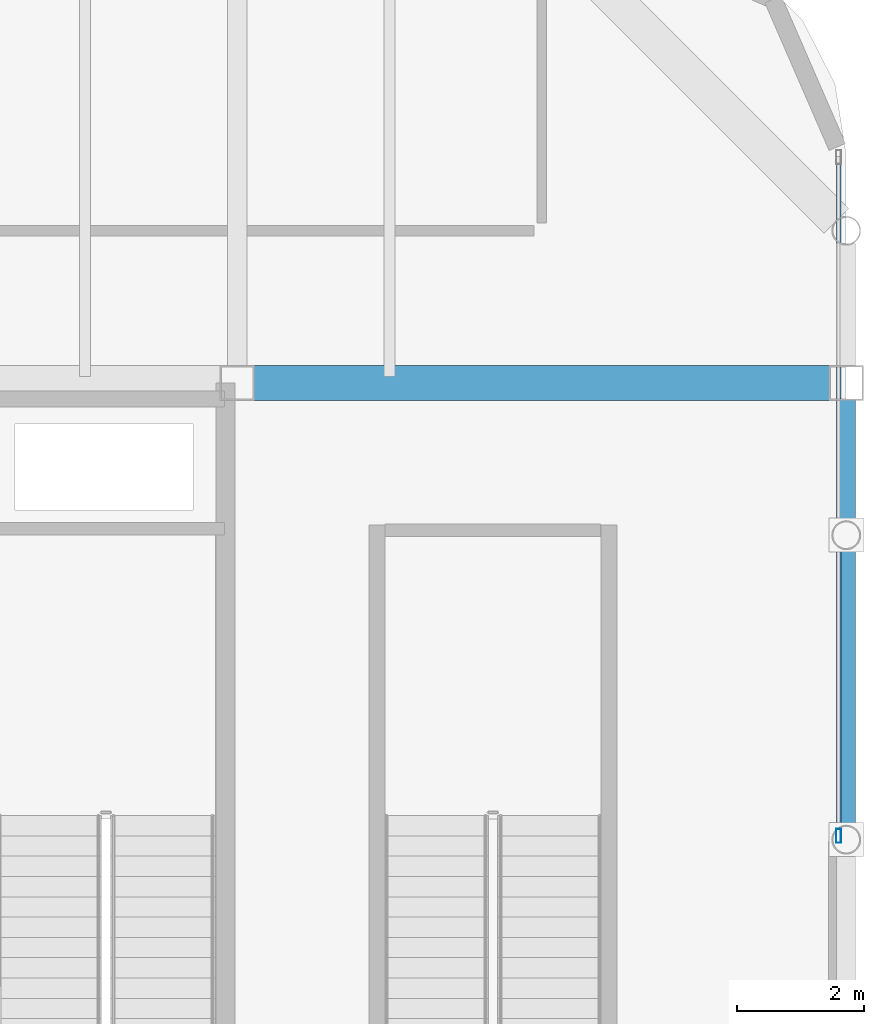
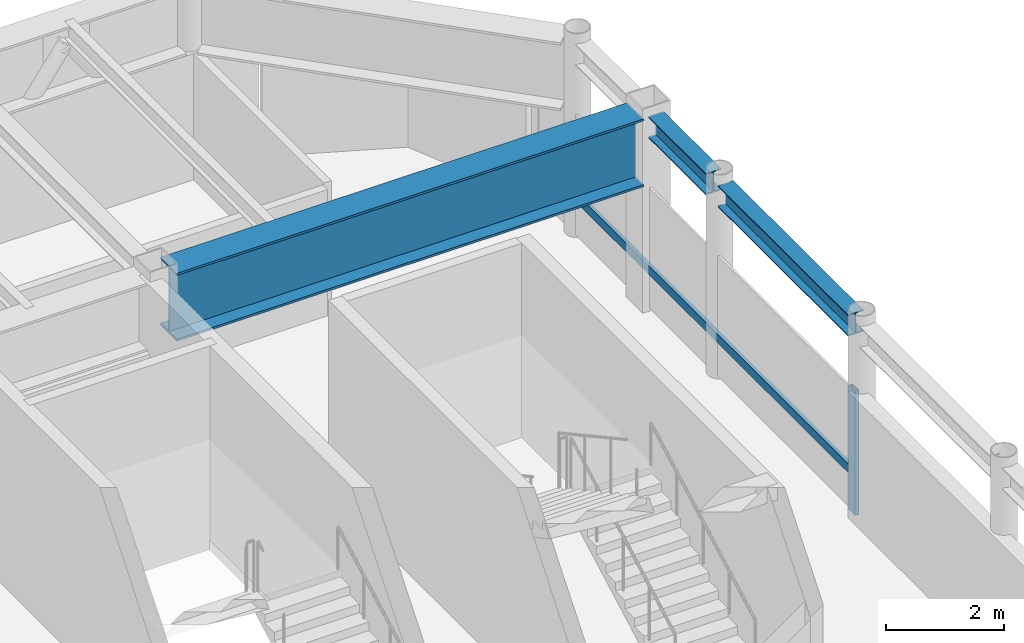
# One storey, part 11 of 23: 3 beams, 2 members, 1 element without a shape of its own.
"""IFC4 building model written with IfcOpenShell, lengths in metres."""

from ifc_helpers import new_model, si_unit, direction, frame, origin, origin_2d, place, context, subcontext, project, spatial, hollow_rectangle, i_section, extrude, material, layer, layer_set, material_profile, profile_set, type_object, element, aggregate, save


model = new_model("IFC4")

# Units and contexts
model_context = context("Model", 3, precision=1e-05, world=origin(), true_north=direction((0.0, 1.0)))
body_context = subcontext(model_context, "Body", "Model", "MODEL_VIEW")
ifc_project = project(units=[si_unit("LENGTHUNIT", "METRE"), si_unit("AREAUNIT", "SQUARE_METRE"), si_unit("VOLUMEUNIT", "CUBIC_METRE"), si_unit("PLANEANGLEUNIT", "RADIAN"), si_unit("MASSUNIT", "GRAM", prefix="KILO")], contexts=[model_context])

# Site, building, storey
site_placement = place(None, origin())
site = spatial("IfcSite", under=ifc_project, at=site_placement, CompositionType="ELEMENT")
building_placement = place(site_placement, origin())
building = spatial("IfcBuilding", under=site, at=building_placement, Name="Kallvorn Hotel Tower", CompositionType="ELEMENT")
storey_placement = place(building_placement, frame((0.0, 0.0, 282.199951171875)))
storey = spatial("IfcBuildingStorey", under=building, at=storey_placement, Name="L70", CompositionType="ELEMENT", Elevation=282.199951171875)

# Beams
ifc_material_1 = material(Name="Structural steel S355JR", Category="steel")
ifc_material_profile_1 = material_profile(ifc_material_1, i_section(OverallWidth=0.300048828125, OverallDepth=0.43994140625, WebThickness=0.011474609375, FlangeThickness=0.02099609375, at=origin_2d()), Name="HE 450 A")
ifc_profile_set_1 = profile_set([ifc_material_profile_1], Name="Structural steel S355JR")
beam_type_1 = type_object("IfcBeamType", Name="BM_HE450A", PredefinedType="BEAM", material=ifc_profile_set_1)
beam_1_placement = place(storey_placement, frame((24.0, 0.20361328125, 3.780029296875), z_axis=(0.0, 1.0, 0.0), x_axis=(-1.0, 0.0, 0.0)))
element("IfcBeam", 1, at=beam_1_placement, inside=storey, type_object=beam_type_1, Name="L71 Primary Y-Girder 51", PredefinedType="BEAM", context=body_context, shape_type="SweptSolid", body=[
    extrude(i_section(OverallWidth=0.300048828125, OverallDepth=0.43994140625, WebThickness=0.011474609375, FlangeThickness=0.02099609375, at=origin_2d()), origin(), (0.0, 0.0, 1.0), 4.392822265625),
])
beam_2_placement = place(storey_placement, frame((24.0, 5.00341796875, 3.780029296875), z_axis=(0.0, 1.0, 0.0), x_axis=(-1.0, 0.0, 0.0)))
element("IfcBeam", 2, at=beam_2_placement, inside=storey, type_object=beam_type_1, Name="L71 Primary Y-Girder 52", PredefinedType="BEAM", context=body_context, shape_type="SweptSolid", body=[
    extrude(i_section(OverallWidth=0.300048828125, OverallDepth=0.43994140625, WebThickness=0.011474609375, FlangeThickness=0.02099609375, at=origin_2d()), origin(), (0.0, 0.0, 1.0), 1.946533203125),
])
ifc_material_2 = material(Name="Structural steel S355JR", Category="steel")
ifc_material_profile_2 = material_profile(ifc_material_2, i_section(OverallWidth=0.550048828125, OverallDepth=1.39990234375, WebThickness=0.02490234375, FlangeThickness=0.044921875, at=origin_2d()), Name="PG 1400x550x25x45")
ifc_profile_set_2 = profile_set([ifc_material_profile_2], Name="Structural steel S355JR")
beam_type_2 = type_object("IfcBeamType", Name="BM_PG_1400", PredefinedType="BEAM", material=ifc_profile_set_2)
beam_3_placement = place(storey_placement, frame((14.64990234375, 7.199951171875, 3.300048828125), z_axis=(1.0, 0.0, 0.0), x_axis=(0.0, 1.0, 0.0)))
element("IfcBeam", 3, at=beam_3_placement, inside=storey, type_object=beam_type_2, Name="L71 Primary X-Girder 15", PredefinedType="BEAM", context=body_context, shape_type="SweptSolid", body=[
    extrude(i_section(OverallWidth=0.550048828125, OverallDepth=1.39990234375, WebThickness=0.02490234375, FlangeThickness=0.044921875, at=origin_2d()), origin(), (0.0, 0.0, 1.0), 9.10009765625),
])

# Curtain wall, members
ifc_material_3 = material(Name="Thermally broken black-anodised aluminium AA 6063-T6", Category="aluminium")
ifc_layer = layer(ifc_material_3, 0.25)
ifc_layer_set = layer_set([ifc_layer], Name="CW_SYS_6_SUMMIT_OBS")
curtain_wall_type = type_object("IfcCurtainWallType", Name="CW_SYS_6_SUMMIT_OBS", PredefinedType="USERDEFINED", material=ifc_layer_set)
curtain_wall_placement = place(storey_placement, origin())
curtain_wall = element("IfcCurtainWall", 4, at=curtain_wall_placement, inside=storey, type_object=curtain_wall_type, Name="L70 Dark-Glass Curtain Wall CW-L70-EN", ObjectType="UNITISED CURTAIN WALL", PredefinedType="USERDEFINED")
ifc_material_4 = material(Name="Thermally broken black-anodised aluminium AA 6063-T6", Category="aluminium")
ifc_material_profile_3 = material_profile(ifc_material_4, hollow_rectangle(XDim=0.080078125, YDim=0.219970703125, WallThickness=0.0048828125, at=origin_2d()), Name="MUL 220x80")
ifc_profile_set_3 = profile_set([ifc_material_profile_3], Name="Thermally broken black-anodised aluminium AA 6063-T6")
member_type_1 = type_object("IfcMemberType", Name="CW_MULLION_220x80", PredefinedType="MULLION", material=ifc_profile_set_3)
member_1_placement = place(storey_placement, frame((23.8798828125, 0.06005859375, 0.02001953125), z_axis=(0.0, 0.0, 1.0), x_axis=(1.0, 0.0, 0.0)))
member_1 = element("IfcMember", 5, at=member_1_placement, type_object=member_type_1, Name="CW-L70-EN Mullion 00", PredefinedType="MULLION", context=body_context, shape_type="SweptSolid", body=[
    extrude(hollow_rectangle(XDim=0.080078125, YDim=0.219970703125, WallThickness=0.0048828125, at=origin_2d()), origin(), (0.0, 0.0, 1.0), 2.56005859375),
])
ifc_material_5 = material(Name="Thermally broken black-anodised aluminium AA 6063-T6", Category="aluminium")
ifc_material_profile_4 = material_profile(ifc_material_5, hollow_rectangle(XDim=0.070068359375, YDim=0.179931640625, WallThickness=0.00390625, at=origin_2d()), Name="TRN 180x70")
ifc_profile_set_4 = profile_set([ifc_material_profile_4], Name="Thermally broken black-anodised aluminium AA 6063-T6")
member_type_2 = type_object("IfcMemberType", Name="CW_TRANSOM_180x70", PredefinedType="USERDEFINED", material=ifc_profile_set_4)
member_2_placement = place(storey_placement, frame((23.8798828125, 0.06005859375, 0.85009765625), z_axis=(0.0, 1.0, 0.0), x_axis=(-1.0, 0.0, 0.0)))
member_2 = element("IfcMember", 6, at=member_2_placement, type_object=member_type_2, Name="CW-L70-EN Transom 00M", ObjectType="TRANSOM", PredefinedType="USERDEFINED", context=body_context, shape_type="SweptSolid", body=[
    extrude(hollow_rectangle(XDim=0.070068359375, YDim=0.179931640625, WallThickness=0.00390625, at=origin_2d()), origin(), (0.0, 0.0, 1.0), 10.699951171875),
])
aggregate(curtain_wall, [member_1, member_2])

save(model, "model.ifc")
